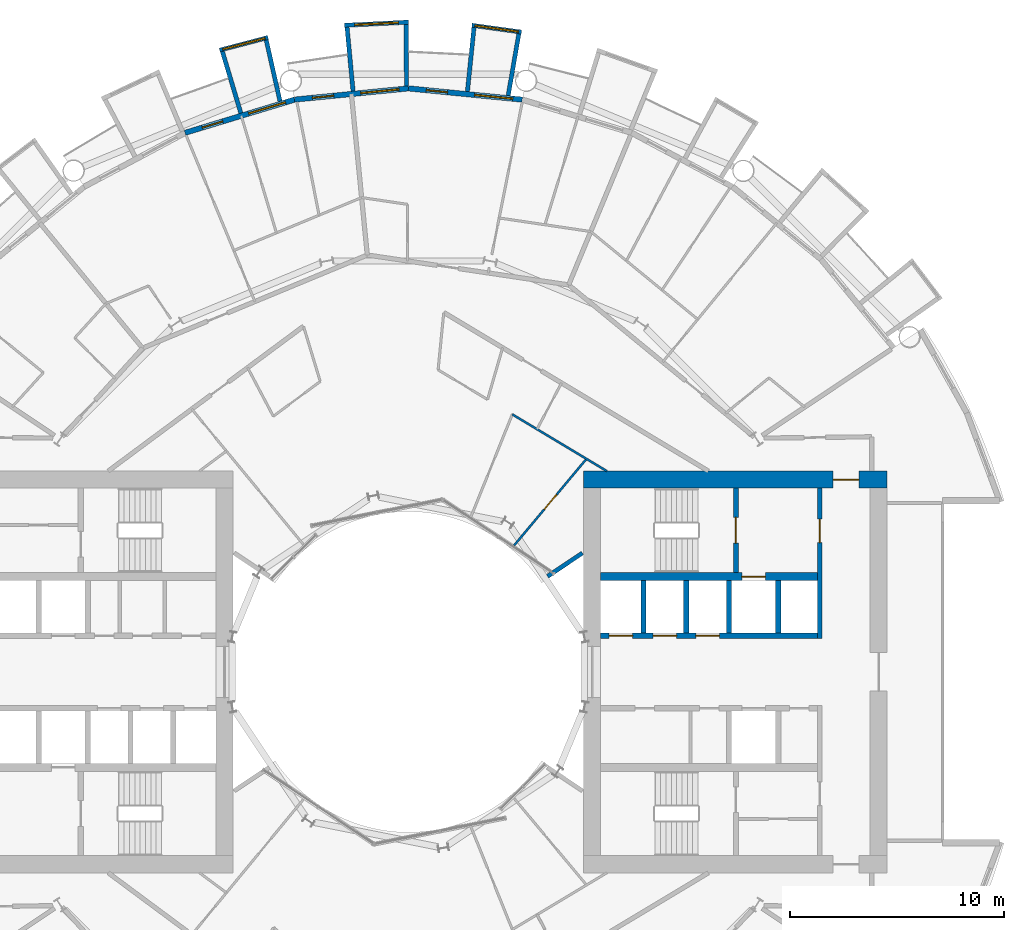
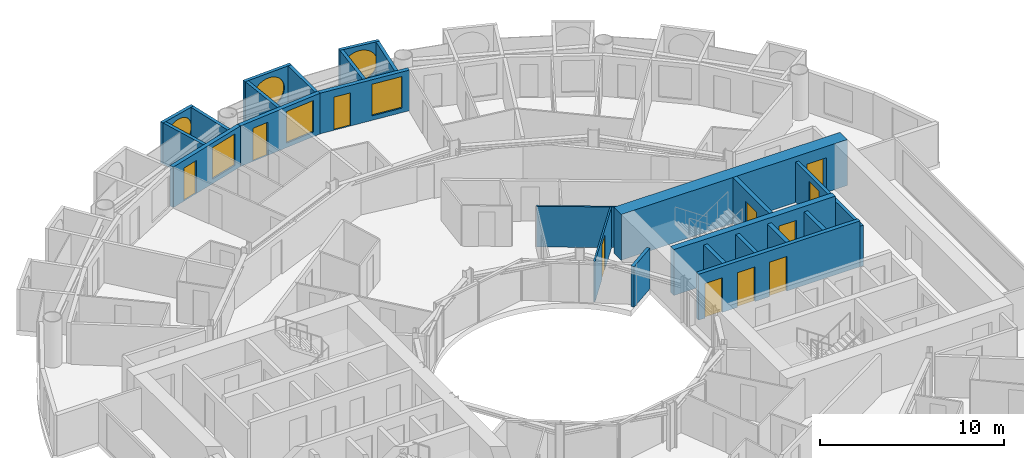
# One storey, part 20 of 26: 24 walls, 11 doors, 6 windows, 17 openings.
"""IFC4 building model written with IfcOpenShell, lengths in metres."""

import ifcopenshell
import ifcopenshell.guid

model = None  # the IFC model being written
_history = None  # IfcOwnerHistory: only IFC2X3 demands one
_inside = {}  # id of a spatial element -> (the spatial element, [elements in it])
_under = {}  # id of a project, library or spatial element -> (it, [spatial elements below it])
_declared = {}  # id of a project -> (the project, [libraries it declares])
_typed = {}  # id of a type object -> (the type object, [elements of that type])
_made_of = {}  # id of a material, layer set ... -> (it, [elements and type objects made of it])


def new_model(schema):
    """Start an empty IFC model of exactly this schema.

    Asked for "IFC4X3", IfcOpenShell would pick the latest addendum, in which some entities
    have other attributes; the version numbers below select the first issue.
    IFC2X3 requires an IfcOwnerHistory on every rooted entity: one is made here for all.
    """
    global model, _history
    if schema == "IFC4X3":
        model = ifcopenshell.file(schema_version=(4, 3, 0, 0))
    else:
        model = ifcopenshell.file(schema=schema)
    _inside.clear()
    _under.clear()
    _declared.clear()
    _typed.clear()
    _made_of.clear()
    _history = None
    if model.schema == "IFC2X3":
        org = make("IfcOrganization", Name="unknown")
        user = make(
            "IfcPersonAndOrganization",
            ThePerson=make("IfcPerson", FamilyName="unknown"),
            TheOrganization=org,
        )
        app = make(
            "IfcApplication",
            ApplicationDeveloper=org,
            Version="unknown",
            ApplicationFullName="unknown",
            ApplicationIdentifier="unknown",
        )
        _history = make(
            "IfcOwnerHistory",
            OwningUser=user,
            OwningApplication=app,
            ChangeAction="ADDED",
            CreationDate=0,
        )
    return model


def make(cls, **values):
    """One entity of the class cls with the attributes given. An attribute that is None is left unset."""
    return model.create_entity(
        cls, **{name: value for name, value in values.items() if value is not None}
    )


def rooted(cls, **values):
    """An entity with a GlobalId (a new one), such as an element, a storey or a relation."""
    return make(cls, GlobalId=ifcopenshell.guid.new(), OwnerHistory=_history, **values)


def si_unit(unit_type, name, prefix=None):
    """IfcSIUnit, for example si_unit("LENGTHUNIT", "METRE", prefix="MILLI")."""
    return make("IfcSIUnit", UnitType=unit_type, Prefix=prefix, Name=name)


def assignment(units):
    """IfcUnitAssignment: the units of a project."""
    return None if units is None else make("IfcUnitAssignment", Units=units)


def point(xyz):
    """IfcCartesianPoint."""
    return None if xyz is None else make("IfcCartesianPoint", Coordinates=xyz)


def direction(xyz):
    """IfcDirection."""
    return None if xyz is None else make("IfcDirection", DirectionRatios=xyz)


def frame(location, z_axis=None, x_axis=None):
    """IfcAxis2Placement3D, a coordinate frame: its origin and axes. An axis left out is left unset."""
    return make(
        "IfcAxis2Placement3D",
        Location=point(location),
        Axis=direction(z_axis),
        RefDirection=direction(x_axis),
    )


def frame_2d(location, x_axis=None):
    """IfcAxis2Placement2D, a coordinate frame in the plane: its origin and x axis."""
    return make(
        "IfcAxis2Placement2D", Location=point(location), RefDirection=direction(x_axis)
    )


def origin():
    """The frame at (0, 0, 0) with its axes left unset."""
    return frame((0.0, 0.0, 0.0))


def place(relative_to, where):
    """IfcLocalPlacement: puts the frame where relative to a parent placement (None: the world)."""
    return make(
        "IfcLocalPlacement", PlacementRelTo=relative_to, RelativePlacement=where
    )


def context(
    kind, dimensions, precision=None, world=None, true_north=None, identifier=None
):
    """IfcGeometricRepresentationContext, for example the 3D "Model" context."""
    return make(
        "IfcGeometricRepresentationContext",
        ContextIdentifier=identifier,
        ContextType=kind,
        CoordinateSpaceDimension=dimensions,
        Precision=precision,
        WorldCoordinateSystem=world,
        TrueNorth=true_north,
    )


def subcontext(parent, identifier, kind, view, scale=None):
    """IfcGeometricRepresentationSubContext, for example "Body" below "Model"."""
    return make(
        "IfcGeometricRepresentationSubContext",
        ContextIdentifier=identifier,
        ContextType=kind,
        ParentContext=parent,
        TargetScale=scale,
        TargetView=view,
    )


def project(units=None, contexts=None):
    """IfcProject with its units and contexts."""
    return rooted(
        "IfcProject",
        Name="project",
        RepresentationContexts=contexts,
        UnitsInContext=assignment(units),
    )


def spatial(cls, under=None, at=None, **own):
    """A site, building, storey or space (cls), placed at a placement, below another one or the project."""
    s = rooted(cls, ObjectPlacement=at, **own)
    if under is not None:
        _under.setdefault(under.id(), (under, []))[1].append(s)
    return s


def profile(cls, at=None, kind="AREA", **sizes):
    """A parametric profile (cls). Its sizes go by their IFC names, for example OverallWidth=200.0."""
    return make(cls, ProfileType=kind, Position=at, **sizes)


def rectangle(**sizes):
    """IfcRectangleProfileDef."""
    return profile("IfcRectangleProfileDef", **sizes)


def circle(**sizes):
    """IfcCircleProfileDef."""
    return profile("IfcCircleProfileDef", **sizes)


def extrude(swept, where, along, depth):
    """IfcExtrudedAreaSolid: the profile swept, set in the frame where, extruded along a direction by depth."""
    return make(
        "IfcExtrudedAreaSolid",
        SweptArea=swept,
        Position=where,
        ExtrudedDirection=direction(along),
        Depth=depth,
    )


def shape(context_of_items, identifier, shape_type, items):
    """IfcShapeRepresentation: the items that make up one representation, for example the "Body"."""
    return make(
        "IfcShapeRepresentation",
        ContextOfItems=context_of_items,
        RepresentationIdentifier=identifier,
        RepresentationType=shape_type,
        Items=items,
    )


def material(Name=None, Category=None):
    """IfcMaterial."""
    return make("IfcMaterial", Name=Name, Category=Category)


def layer(
    of_material, thickness, ventilated=None, Name=None, Category=None, Priority=None
):
    """IfcMaterialLayer: one layer of a wall or slab, of a material (None: an air gap)."""
    return make(
        "IfcMaterialLayer",
        Material=of_material,
        LayerThickness=thickness,
        IsVentilated=ventilated,
        Name=Name,
        Category=Category,
        Priority=Priority,
    )


def layer_set(layers, Name=None):
    """IfcMaterialLayerSet."""
    return make("IfcMaterialLayerSet", MaterialLayers=layers, LayerSetName=Name)


def made_of(thing, what):
    """Note that an element or type object is made of a material, layer set ...; save() writes the relation."""
    if what is not None:
        _made_of.setdefault(what.id(), (what, []))[1].append(thing)
    return thing


def type_object(cls, material=None, **own):
    """A type object (cls), such as IfcWallType, which elements share."""
    return made_of(rooted(cls, **own), material)


def element(
    cls,
    number,
    at=None,
    inside=None,
    cuts=None,
    type_object=None,
    material=None,
    context=None,
    identifier="Body",
    shape_type=None,
    held_by="IfcProductDefinitionShape",
    body=None,
    shapes=None,
    **own,
):
    """One element of the class cls, such as IfcWall. Its Tag is "e" and its number.

    at: its placement. inside: the storey or other place that contains it. cuts: it is an
    opening in that element (IfcRelVoidsElement). A single representation is given by context,
    identifier, shape_type and body (its items); several are given by shapes. held_by: the class
    of the entity that holds the representations. save() writes the other relations.
    """
    e = rooted(cls, Tag="e%d" % number, ObjectPlacement=at, **own)
    if body is not None:
        shapes = [shape(context, identifier, shape_type, body)]
    if shapes is not None:
        e.Representation = make(held_by, Representations=shapes)
    if inside is not None:
        _inside.setdefault(inside.id(), (inside, []))[1].append(e)
    if cuts is not None:
        rooted(
            "IfcRelVoidsElement", RelatingBuildingElement=cuts, RelatedOpeningElement=e
        )
    if type_object is not None:
        _typed.setdefault(type_object.id(), (type_object, []))[1].append(e)
    return made_of(e, material)


def fill(opening, filler):
    """IfcRelFillsElement: the door or window that sits in an opening."""
    return rooted(
        "IfcRelFillsElement",
        RelatingOpeningElement=opening,
        RelatedBuildingElement=filler,
    )


def aggregate(whole, parts):
    """IfcRelAggregates: a whole, such as a stair, and the parts it consists of."""
    return rooted("IfcRelAggregates", RelatingObject=whole, RelatedObjects=parts)


def save(model, path):
    """Write the relations noted so far, then the file.

    IfcRelAggregates (storeys below a building ...), IfcRelContainedInSpatialStructure (elements
    in a storey), IfcRelDefinesByType, IfcRelAssociatesMaterial and IfcRelDeclares: one each for
    every whole, place, type object, material and project.
    """
    for whole, parts in _under.values():
        aggregate(whole, parts)
    for where, things in _inside.values():
        rooted(
            "IfcRelContainedInSpatialStructure",
            RelatedElements=things,
            RelatingStructure=where,
        )
    for kind, things in _typed.values():
        rooted("IfcRelDefinesByType", RelatedObjects=things, RelatingType=kind)
    for what, things in _made_of.values():
        rooted("IfcRelAssociatesMaterial", RelatedObjects=things, RelatingMaterial=what)
    for by, libraries in _declared.values():
        rooted("IfcRelDeclares", RelatingContext=by, RelatedDefinitions=libraries)
    model.write(path)


model = new_model("IFC4")

# Units and contexts
model_context = context("Model", 3, precision=1e-05, world=origin(), true_north=direction((0.0, 1.0)))
body_context = subcontext(model_context, "Body", "Model", "MODEL_VIEW")
ifc_project = project(units=[si_unit("LENGTHUNIT", "METRE"), si_unit("AREAUNIT", "SQUARE_METRE"), si_unit("VOLUMEUNIT", "CUBIC_METRE"), si_unit("PLANEANGLEUNIT", "RADIAN"), si_unit("MASSUNIT", "GRAM", prefix="KILO")], contexts=[model_context])

# Site, building, storey
site_placement = place(None, origin())
site = spatial("IfcSite", under=ifc_project, at=site_placement, CompositionType="ELEMENT")
building_placement = place(site_placement, origin())
building = spatial("IfcBuilding", under=site, at=building_placement, Name="Maasbend Ring Residences", CompositionType="ELEMENT")
storey_placement = place(building_placement, frame((0.0, 0.0, 47.199951171875)))
storey = spatial("IfcBuildingStorey", under=building, at=storey_placement, Name="L13", CompositionType="ELEMENT", Elevation=47.199951171875)

# Wall, openings, doors
ifc_material_1 = material(Name="Concrete C70/85", Category="concrete")
ifc_layer_1 = layer(ifc_material_1, 0.25)
ifc_layer_set_1 = layer_set([ifc_layer_1], Name="Concrete C70/85")
wall_type_1 = type_object("IfcWallType", Name="CORE WALL 250 C70/85", PredefinedType="SHEAR", material=ifc_layer_set_1)
wall_1_placement = place(storey_placement, frame((9.0, 1.699951171875, 0.0), z_axis=(0.0, 0.0, 1.0), x_axis=(1.0, 0.0, 0.0)))
wall_1 = element("IfcWall", 1, at=wall_1_placement, inside=storey, type_object=wall_type_1, Name="L13 core E wall SPN", PredefinedType="SHEAR", context=body_context, shape_type="SweptSolid", body=[
    extrude(rectangle(XDim=10.14990234375, YDim=0.25, at=frame_2d((5.074951171875, 0.0))), origin(), (0.0, 0.0, 1.0), 3.050048828125),
])
opening_1_placement = place(wall_1_placement, frame((0.387451171875, 0.0, 0.0)))
opening_1 = element("IfcOpeningElement", 2, at=opening_1_placement, cuts=wall_1, Name="Opening LD-E1301", PredefinedType="OPENING", context=body_context, shape_type="SweptSolid", body=[
    extrude(rectangle(XDim=1.10009765625, YDim=2.300048828125, at=frame_2d((0.550048828125, 1.14990234375))), frame((0.0, 0.135009765625, 0.0), z_axis=(0.0, -1.0, 0.0), x_axis=(1.0, 0.0, 0.0)), (0.0, 0.0, 1.0), 0.27001953125),
])
opening_2_placement = place(wall_1_placement, frame((2.449951171875, 0.0, 0.0)))
opening_2 = element("IfcOpeningElement", 3, at=opening_2_placement, cuts=wall_1, Name="Opening LD-E1302", PredefinedType="OPENING", context=body_context, shape_type="SweptSolid", body=[
    extrude(rectangle(XDim=1.10009765625, YDim=2.300048828125, at=frame_2d((0.550048828125, 1.14990234375))), frame((0.0, 0.135009765625, 0.0), z_axis=(0.0, -1.0, 0.0), x_axis=(1.0, 0.0, 0.0)), (0.0, 0.0, 1.0), 0.27001953125),
])
opening_3_placement = place(wall_1_placement, frame((4.449951171875, 0.0, 0.0)))
opening_3 = element("IfcOpeningElement", 4, at=opening_3_placement, cuts=wall_1, Name="Opening LD-E1303", PredefinedType="OPENING", context=body_context, shape_type="SweptSolid", body=[
    extrude(rectangle(XDim=1.10009765625, YDim=2.300048828125, at=frame_2d((0.550048828125, 1.14990234375))), frame((0.0, 0.135009765625, 0.0), z_axis=(0.0, -1.0, 0.0), x_axis=(1.0, 0.0, 0.0)), (0.0, 0.0, 1.0), 0.27001953125),
])
ifc_material_2 = material(Name="Stainless steel 316", Category="steel")
door_type_1 = type_object("IfcDoorType", Name="LANDING DOOR 1100 X 2300 FD60", OperationType="DOUBLE_DOOR_SLIDING", PredefinedType="DOOR", material=ifc_material_2)
door_1_placement = place(opening_1_placement, origin())
door_1 = element("IfcDoor", 5, at=door_1_placement, inside=storey, type_object=door_type_1, Name="Landing door LR-E1 L13", OperationType="DOUBLE_DOOR_SLIDING", OverallHeight=2.300048828125, OverallWidth=1.10009765625, PredefinedType="DOOR", context=body_context, shape_type="SweptSolid", body=[
    extrude(rectangle(XDim=1.10009765625, YDim=2.300048828125, at=frame_2d((0.550048828125, 1.14990234375))), frame((0.0, 0.02490234375, 0.0), z_axis=(0.0, -1.0, 0.0), x_axis=(1.0, 0.0, 0.0)), (0.0, 0.0, 1.0), 0.050048828125),
])
fill(opening_1, door_1)
door_2_placement = place(opening_2_placement, origin())
door_2 = element("IfcDoor", 6, at=door_2_placement, inside=storey, type_object=door_type_1, Name="Landing door LR-E2 L13", OperationType="DOUBLE_DOOR_SLIDING", OverallHeight=2.300048828125, OverallWidth=1.10009765625, PredefinedType="DOOR", context=body_context, shape_type="SweptSolid", body=[
    extrude(rectangle(XDim=1.10009765625, YDim=2.300048828125, at=frame_2d((0.550048828125, 1.14990234375))), frame((0.0, 0.02490234375, 0.0), z_axis=(0.0, -1.0, 0.0), x_axis=(1.0, 0.0, 0.0)), (0.0, 0.0, 1.0), 0.050048828125),
])
fill(opening_2, door_2)
door_3_placement = place(opening_3_placement, origin())
door_3 = element("IfcDoor", 7, at=door_3_placement, inside=storey, type_object=door_type_1, Name="Landing door LR-E3 L13", OperationType="DOUBLE_DOOR_SLIDING", OverallHeight=2.300048828125, OverallWidth=1.10009765625, PredefinedType="DOOR", context=body_context, shape_type="SweptSolid", body=[
    extrude(rectangle(XDim=1.10009765625, YDim=2.300048828125, at=frame_2d((0.550048828125, 1.14990234375))), frame((0.0, 0.02490234375, 0.0), z_axis=(0.0, -1.0, 0.0), x_axis=(1.0, 0.0, 0.0)), (0.0, 0.0, 1.0), 0.050048828125),
])
fill(opening_3, door_3)

# Wall, opening, door
wall_2_placement = place(storey_placement, frame((15.324951171875, 4.64990234375, 0.0), z_axis=(0.0, 0.0, 1.0), x_axis=(0.0, 1.0, 0.0)))
wall_2 = element("IfcWall", 8, at=wall_2_placement, inside=storey, type_object=wall_type_1, Name="L13 core E wall STEN", PredefinedType="SHEAR", context=body_context, shape_type="SweptSolid", body=[
    extrude(rectangle(XDim=3.9501953125, YDim=0.25, at=frame_2d((1.97509765625, 0.0))), origin(), (0.0, 0.0, 1.0), 3.050048828125),
])
opening_4_placement = place(wall_2_placement, frame((1.375, 0.0, 0.0)))
opening_4 = element("IfcOpeningElement", 9, at=opening_4_placement, cuts=wall_2, Name="Opening D-E1310", PredefinedType="OPENING", context=body_context, shape_type="SweptSolid", body=[
    extrude(rectangle(XDim=1.199951171875, YDim=2.300048828125, at=frame_2d((0.60009765625, 1.14990234375))), frame((0.0, 0.135009765625, 0.0), z_axis=(0.0, -1.0, 0.0), x_axis=(1.0, 0.0, 0.0)), (0.0, 0.0, 1.0), 0.27001953125),
])
ifc_material_3 = material(Name="Steel, powder coated", Category="steel")
door_type_2 = type_object("IfcDoorType", Name="STAIR DOOR 1200 X 2300 FD60", OperationType="NOTDEFINED", PredefinedType="DOOR", material=ifc_material_3)
door_4_placement = place(opening_4_placement, origin())
door_4 = element("IfcDoor", 10, at=door_4_placement, inside=storey, type_object=door_type_2, Name="Stair door ST-E L13", OperationType="SINGLE_SWING_LEFT", OverallHeight=2.300048828125, OverallWidth=1.199951171875, PredefinedType="DOOR", context=body_context, shape_type="SweptSolid", body=[
    extrude(rectangle(XDim=1.199951171875, YDim=2.300048828125, at=frame_2d((0.60009765625, 1.14990234375))), frame((0.0, 0.02490234375, 0.0), z_axis=(0.0, -1.0, 0.0), x_axis=(1.0, 0.0, 0.0)), (0.0, 0.0, 1.0), 0.050048828125),
])
fill(opening_4, door_4)

ifc_material_4 = material(Name="Concrete C70/85", Category="concrete")
ifc_layer_2 = layer(ifc_material_4, 0.375)
ifc_layer_set_2 = layer_set([ifc_layer_2], Name="Concrete C70/85")
wall_type_2 = type_object("IfcWallType", Name="CORE WALL 375 C70/85", PredefinedType="SHEAR", material=ifc_layer_set_2)
wall_3_placement = place(storey_placement, frame((9.0, 4.46240234375, 0.0), z_axis=(0.0, 0.0, 1.0), x_axis=(1.0, 0.0, 0.0)))
wall_3 = element("IfcWall", 11, at=wall_3_placement, inside=storey, type_object=wall_type_2, Name="L13 core E wall BN", PredefinedType="SHEAR", context=body_context, shape_type="SweptSolid", body=[
    extrude(rectangle(XDim=10.14990234375, YDim=0.375, at=frame_2d((5.074951171875, 0.0))), origin(), (0.0, 0.0, 1.0), 3.050048828125),
])
opening_5_placement = place(wall_3_placement, frame((6.60009765625, 0.0, 0.0)))
opening_5 = element("IfcOpeningElement", 12, at=opening_5_placement, cuts=wall_3, Name="Opening LD-E1304", PredefinedType="OPENING", context=body_context, shape_type="SweptSolid", body=[
    extrude(rectangle(XDim=1.10009765625, YDim=2.300048828125, at=frame_2d((0.550048828125, 1.14990234375))), frame((0.0, 0.197509765625, 0.0), z_axis=(0.0, -1.0, 0.0), x_axis=(1.0, 0.0, 0.0)), (0.0, 0.0, 1.0), 0.39501953125),
])
door_5_placement = place(opening_5_placement, origin())
door_5 = element("IfcDoor", 13, at=door_5_placement, inside=storey, type_object=door_type_1, Name="Landing door FF-E L13", OperationType="DOUBLE_DOOR_SLIDING", OverallHeight=2.300048828125, OverallWidth=1.10009765625, PredefinedType="DOOR", context=body_context, shape_type="SweptSolid", body=[
    extrude(rectangle(XDim=1.10009765625, YDim=2.300048828125, at=frame_2d((0.550048828125, 1.14990234375))), frame((0.0, 0.02490234375, 0.0), z_axis=(0.0, -1.0, 0.0), x_axis=(1.0, 0.0, 0.0)), (0.0, 0.0, 1.0), 0.050048828125),
])
fill(opening_5, door_5)

ifc_material_5 = material(Name="Concrete C70/85", Category="concrete")
ifc_layer_3 = layer(ifc_material_5, 0.800048828125)
ifc_layer_set_3 = layer_set([ifc_layer_3], Name="Concrete C70/85")
wall_type_3 = type_object("IfcWallType", Name="CORE WALL 800 C70/85", PredefinedType="SHEAR", material=ifc_layer_set_3)
wall_4_placement = place(storey_placement, frame((22.39990234375, 9.0, 0.0), z_axis=(0.0, 0.0, 1.0), x_axis=(-1.0, 0.0, 0.0)))
wall_4 = element("IfcWall", 14, at=wall_4_placement, inside=storey, type_object=wall_type_3, Name="L13 core E wall PN", PredefinedType="SHEAR", context=body_context, shape_type="SweptSolid", body=[
    extrude(rectangle(XDim=14.199951171875, YDim=0.800048828125, at=frame_2d((7.10009765625, 0.0))), origin(), (0.0, 0.0, 1.0), 3.050048828125),
])
opening_6_placement = place(wall_4_placement, frame((1.324951171875, 0.0, 0.0)))
opening_6 = element("IfcOpeningElement", 15, at=opening_6_placement, cuts=wall_4, Name="Opening D-E1314", PredefinedType="OPENING", context=body_context, shape_type="SweptSolid", body=[
    extrude(rectangle(XDim=1.199951171875, YDim=2.300048828125, at=frame_2d((0.60009765625, 1.14990234375))), frame((0.0, 0.41015625, 0.0), z_axis=(0.0, -1.0, 0.0), x_axis=(1.0, 0.0, 0.0)), (0.0, 0.0, 1.0), 0.820068359375),
])
ifc_material_6 = material(Name="Steel, powder coated", Category="steel")
door_type_3 = type_object("IfcDoorType", Name="CORRIDOR DOOR 1200 X 2300 FD30S", OperationType="NOTDEFINED", PredefinedType="DOOR", material=ifc_material_6)
door_6_placement = place(opening_6_placement, origin())
door_6 = element("IfcDoor", 16, at=door_6_placement, inside=storey, type_object=door_type_3, Name="Corridor door L13", OperationType="SINGLE_SWING_RIGHT", OverallHeight=2.300048828125, OverallWidth=1.199951171875, PredefinedType="DOOR", context=body_context, shape_type="SweptSolid", body=[
    extrude(rectangle(XDim=1.199951171875, YDim=2.300048828125, at=frame_2d((0.60009765625, 1.14990234375))), frame((0.0, 0.02490234375, 0.0), z_axis=(0.0, -1.0, 0.0), x_axis=(1.0, 0.0, 0.0)), (0.0, 0.0, 1.0), 0.050048828125),
])
fill(opening_6, door_6)

# Wall, opening, window
ifc_material_7 = material(Name="Pale anodised aluminium panel", Category="aluminium")
ifc_layer_4 = layer(ifc_material_7, 0.199951171875)
ifc_layer_set_4 = layer_set([ifc_layer_4], Name="EW-BOX")
wall_type_4 = type_object("IfcWallType", Name="EW-BOX", PredefinedType="SOLIDWALL", material=ifc_layer_set_4)
wall_5_placement = place(storey_placement, frame((5.2900390625, 29.93603515625, -0.030029296875), z_axis=(0.0, 0.0, 1.0), x_axis=(-0.990696111261, 0.136092671119, 0.0)))
wall_5 = element("IfcWall", 17, at=wall_5_placement, inside=storey, type_object=wall_type_4, Name="Box front N09", PredefinedType="SOLIDWALL", context=body_context, shape_type="SweptSolid", body=[
    extrude(rectangle(XDim=2.335693359375, YDim=0.199951171875, at=frame_2d((1.16796875, 0.0))), origin(), (0.0, 0.0, 1.0), 2.72998046875),
])
opening_7_placement = place(wall_5_placement, frame((0.128173828125, 0.0, 0.330078125)))
opening_7 = element("IfcOpeningElement", 18, at=opening_7_placement, cuts=wall_5, Name="Opening W-RD", PredefinedType="OPENING", context=body_context, shape_type="SweptSolid", body=[
    extrude(circle(Radius=1.0400390625, at=frame_2d((1.0400390625, 1.0400390625))), frame((0.0, 0.10986328125, 0.0), z_axis=(0.0, -1.0, 0.0), x_axis=(1.0, 0.0, 0.0)), (0.0, 0.0, 1.0), 0.219970703125),
])
ifc_material_8 = material(Name="Aluminium and clear glass", Category="aluminium")
window_type_1 = type_object("IfcWindowType", Name="W-RD", PartitioningType="SINGLE_PANEL", PredefinedType="WINDOW", material=ifc_material_8)
window_1_placement = place(opening_7_placement, origin())
window_1 = element("IfcWindow", 19, at=window_1_placement, inside=storey, type_object=window_type_1, Name="Round window N09", OverallHeight=2.080078125, OverallWidth=2.080078125, PartitioningType="SINGLE_PANEL", PredefinedType="WINDOW", context=body_context, shape_type="SweptSolid", body=[
    extrude(circle(Radius=1.0400390625, at=frame_2d((1.0400390625, 1.0400390625))), frame((0.0, 0.030029296875, 0.0), z_axis=(0.0, -1.0, 0.0), x_axis=(1.0, 0.0, 0.0)), (0.0, 0.0, 1.0), 0.06005859375),
])
fill(opening_7, window_1)

# Walls
wall_6_placement = place(storey_placement, frame((4.6708984375, 26.966064453125, -0.030029296875), z_axis=(0.0, 0.0, 1.0), x_axis=(0.170539878907, 0.985350774954, 0.0)))
element("IfcWall", 20, at=wall_6_placement, inside=storey, type_object=wall_type_4, Name="Box side wall N09 left", PredefinedType="SOLIDWALL", context=body_context, shape_type="SweptSolid", body=[
    extrude(rectangle(XDim=2.931884765625, YDim=0.199951171875, at=frame_2d((1.4658203125, 0.0))), origin(), (0.0, 0.0, 1.0), 2.72998046875),
])
wall_7_placement = place(storey_placement, frame((2.763916015625, 27.153076171875, -0.030029296875), z_axis=(0.0, 0.0, 1.0), x_axis=(0.101505487237, 0.994834979311, 0.0)))
element("IfcWall", 21, at=wall_7_placement, inside=storey, type_object=wall_type_4, Name="Box side wall N09 right", PredefinedType="SOLIDWALL", context=body_context, shape_type="SweptSolid", body=[
    extrude(rectangle(XDim=3.006591796875, YDim=0.199951171875, at=frame_2d((1.50341796875, 0.0))), origin(), (0.0, 0.0, 1.0), 2.72998046875),
])

# Wall, opening, window
wall_8_placement = place(storey_placement, frame((0.0048828125, 30.39990234375, -0.030029296875), z_axis=(0.0, 0.0, 1.0), x_axis=(-0.998794083011, -0.049095618353, 0.0)))
wall_8 = element("IfcWall", 22, at=wall_8_placement, inside=storey, type_object=wall_type_4, Name="Box front N11", PredefinedType="SOLIDWALL", context=body_context, shape_type="SweptSolid", body=[
    extrude(rectangle(XDim=2.99365234375, YDim=0.199951171875, at=frame_2d((1.496826171875, 0.0))), origin(), (0.0, 0.0, 1.0), 2.72998046875),
])
opening_8_placement = place(wall_8_placement, frame((0.45654296875, 0.0, 0.330078125)))
opening_8 = element("IfcOpeningElement", 23, at=opening_8_placement, cuts=wall_8, Name="Opening W-RD", PredefinedType="OPENING", context=body_context, shape_type="SweptSolid", body=[
    extrude(circle(Radius=1.0400390625, at=frame_2d((1.0400390625, 1.0400390625))), frame((0.0, 0.10986328125, 0.0), z_axis=(0.0, -1.0, 0.0), x_axis=(1.0, 0.0, 0.0)), (0.0, 0.0, 1.0), 0.219970703125),
])
window_2_placement = place(opening_8_placement, origin())
window_2 = element("IfcWindow", 24, at=window_2_placement, inside=storey, type_object=window_type_1, Name="Round window N11", OverallHeight=2.080078125, OverallWidth=2.080078125, PartitioningType="SINGLE_PANEL", PredefinedType="WINDOW", context=body_context, shape_type="SweptSolid", body=[
    extrude(circle(Radius=1.0400390625, at=frame_2d((1.0400390625, 1.0400390625))), frame((0.0, 0.030029296875, 0.0), z_axis=(0.0, -1.0, 0.0), x_axis=(1.0, 0.0, 0.0)), (0.0, 0.0, 1.0), 0.06005859375),
])
fill(opening_8, window_2)

# Walls
wall_9_placement = place(storey_placement, frame((-0.090087890625, 27.4169921875, -0.030029296875), z_axis=(0.0, 0.0, 1.0), x_axis=(-0.00347308367, 0.999993968827, 0.0)))
element("IfcWall", 25, at=wall_9_placement, inside=storey, type_object=wall_type_4, Name="Box side wall N11 left", PredefinedType="SOLIDWALL", context=body_context, shape_type="SweptSolid", body=[
    extrude(rectangle(XDim=2.882080078125, YDim=0.199951171875, at=frame_2d((1.44091796875, 0.0))), origin(), (0.0, 0.0, 1.0), 2.72998046875),
])
wall_10_placement = place(storey_placement, frame((-2.5859375, 27.1708984375, -0.030029296875), z_axis=(0.0, 0.0, 1.0), x_axis=(-0.094548432284, 0.995520262954, 0.0)))
element("IfcWall", 26, at=wall_10_placement, inside=storey, type_object=wall_type_4, Name="Box side wall N11 right", PredefinedType="SOLIDWALL", context=body_context, shape_type="SweptSolid", body=[
    extrude(rectangle(XDim=3.005615234375, YDim=0.199951171875, at=frame_2d((1.5029296875, 0.0))), origin(), (0.0, 0.0, 1.0), 2.72998046875),
])

# Wall, opening, window
wall_11_placement = place(storey_placement, frame((-6.568115234375, 29.681884765625, -0.030029296875), z_axis=(0.0, 0.0, 1.0), x_axis=(-0.967377102346, -0.253340762326, 0.0)))
wall_11 = element("IfcWall", 27, at=wall_11_placement, inside=storey, type_object=wall_type_4, Name="Box front N13", PredefinedType="SOLIDWALL", context=body_context, shape_type="SweptSolid", body=[
    extrude(rectangle(XDim=2.3359375, YDim=0.199951171875, at=frame_2d((1.16796875, 0.0))), origin(), (0.0, 0.0, 1.0), 2.72998046875),
])
opening_9_placement = place(wall_11_placement, frame((0.128173828125, 0.0, 0.330078125)))
opening_9 = element("IfcOpeningElement", 28, at=opening_9_placement, cuts=wall_11, Name="Opening W-RD", PredefinedType="OPENING", context=body_context, shape_type="SweptSolid", body=[
    extrude(circle(Radius=1.0400390625, at=frame_2d((1.0400390625, 1.0400390625))), frame((0.0, 0.10986328125, 0.0), z_axis=(0.0, -1.0, 0.0), x_axis=(1.0, 0.0, 0.0)), (0.0, 0.0, 1.0), 0.219970703125),
])
window_3_placement = place(opening_9_placement, origin())
window_3 = element("IfcWindow", 29, at=window_3_placement, inside=storey, type_object=window_type_1, Name="Round window N13", OverallHeight=2.080078125, OverallWidth=2.080078125, PartitioningType="SINGLE_PANEL", PredefinedType="WINDOW", context=body_context, shape_type="SweptSolid", body=[
    extrude(circle(Radius=1.0400390625, at=frame_2d((1.0400390625, 1.0400390625))), frame((0.0, 0.030029296875, 0.0), z_axis=(0.0, -1.0, 0.0), x_axis=(1.0, 0.0, 0.0)), (0.0, 0.0, 1.0), 0.06005859375),
])
fill(opening_9, window_3)

# Walls
wall_12_placement = place(storey_placement, frame((-6.00390625, 26.699951171875, -0.030029296875), z_axis=(0.0, 0.0, 1.0), x_axis=(-0.219609259383, 0.975587911566, 0.0)))
element("IfcWall", 30, at=wall_12_placement, inside=storey, type_object=wall_type_4, Name="Box side wall N13 left", PredefinedType="SOLIDWALL", context=body_context, shape_type="SweptSolid", body=[
    extrude(rectangle(XDim=2.9326171875, YDim=0.199951171875, at=frame_2d((1.46630859375, 0.0))), origin(), (0.0, 0.0, 1.0), 2.72998046875),
])
wall_13_placement = place(storey_placement, frame((-7.8369140625, 26.14404296875, -0.030029296875), z_axis=(0.0, 0.0, 1.0), x_axis=(-0.287064767992, 0.957911174889, 0.0)))
element("IfcWall", 31, at=wall_13_placement, inside=storey, type_object=wall_type_4, Name="Box side wall N13 right", PredefinedType="SOLIDWALL", context=body_context, shape_type="SweptSolid", body=[
    extrude(rectangle(XDim=3.00634765625, YDim=0.199951171875, at=frame_2d((1.503173828125, 0.0))), origin(), (0.0, 0.0, 1.0), 2.72998046875),
])

# Wall, openings, door, window
ifc_material_9 = material(Name="Aluminium clad insulated panel", Category="aluminium")
ifc_layer_5 = layer(ifc_material_9, 0.25)
ifc_layer_set_5 = layer_set([ifc_layer_5], Name="EW-GL")
wall_type_5 = type_object("IfcWallType", Name="EW-GL", PredefinedType="SOLIDWALL", material=ifc_layer_set_5)
wall_14_placement = place(storey_placement, frame((5.325927734375, 26.77490234375, 0.0), z_axis=(0.0, 0.0, 1.0), x_axis=(-0.995173996315, 0.098126026407, 0.0)))
wall_14 = element("IfcWall", 32, at=wall_14_placement, inside=storey, type_object=wall_type_5, Name="External wall N05", PredefinedType="SOLIDWALL", context=body_context, shape_type="SweptSolid", body=[
    extrude(rectangle(XDim=5.351806640625, YDim=0.25, at=frame_2d((2.67578125, 0.0))), origin(), (0.0, 0.0, 1.0), 2.699951171875),
])
opening_10_placement = place(wall_14_placement, frame((0.441162109375, 0.0, 0.300048828125)))
opening_10 = element("IfcOpeningElement", 33, at=opening_10_placement, cuts=wall_14, Name="Opening W-BX", PredefinedType="OPENING", context=body_context, shape_type="SweptSolid", body=[
    extrude(rectangle(XDim=1.800048828125, YDim=2.10009765625, at=frame_2d((0.89990234375, 1.050048828125))), frame((0.0, 0.135009765625, 0.0), z_axis=(0.0, -1.0, 0.0), x_axis=(1.0, 0.0, 0.0)), (0.0, 0.0, 1.0), 0.27001953125),
])
opening_11_placement = place(wall_14_placement, frame((3.510498046875, 0.0, 0.0)))
opening_11 = element("IfcOpeningElement", 34, at=opening_11_placement, cuts=wall_14, Name="Opening D-LG", PredefinedType="OPENING", context=body_context, shape_type="SweptSolid", body=[
    extrude(rectangle(XDim=1.0, YDim=2.199951171875, at=frame_2d((0.5, 1.10009765625))), frame((0.0, 0.135009765625, 0.0), z_axis=(0.0, -1.0, 0.0), x_axis=(1.0, 0.0, 0.0)), (0.0, 0.0, 1.0), 0.27001953125),
])
ifc_material_10 = material(Name="Aluminium and clear glass", Category="aluminium")
door_type_4 = type_object("IfcDoorType", Name="D-LG", OperationType="SINGLE_SWING_LEFT", PredefinedType="DOOR", material=ifc_material_10)
door_7_placement = place(opening_11_placement, origin())
door_7 = element("IfcDoor", 35, at=door_7_placement, inside=storey, type_object=door_type_4, Name="Loggia door N10", OperationType="SINGLE_SWING_LEFT", OverallHeight=2.199951171875, OverallWidth=1.0, PredefinedType="DOOR", context=body_context, shape_type="SweptSolid", body=[
    extrude(rectangle(XDim=1.0, YDim=2.199951171875, at=frame_2d((0.5, 1.10009765625))), frame((0.0, 0.02490234375, 0.0), z_axis=(0.0, -1.0, 0.0), x_axis=(1.0, 0.0, 0.0)), (0.0, 0.0, 1.0), 0.050048828125),
])
fill(opening_11, door_7)
ifc_material_11 = material(Name="Aluminium and clear glass", Category="aluminium")
window_type_2 = type_object("IfcWindowType", Name="W-BX", PartitioningType="DOUBLE_PANEL_VERTICAL", PredefinedType="WINDOW", material=ifc_material_11)
window_4_placement = place(opening_10_placement, origin())
window_4 = element("IfcWindow", 36, at=window_4_placement, inside=storey, type_object=window_type_2, Name="Window N09 room to box", OverallHeight=2.10009765625, OverallWidth=1.800048828125, PartitioningType="SINGLE_PANEL", PredefinedType="WINDOW", context=body_context, shape_type="SweptSolid", body=[
    extrude(rectangle(XDim=1.800048828125, YDim=2.10009765625, at=frame_2d((0.89990234375, 1.050048828125))), frame((0.0, 0.030029296875, 0.0), z_axis=(0.0, -1.0, 0.0), x_axis=(1.0, 0.0, 0.0)), (0.0, 0.0, 1.0), 0.06005859375),
])
fill(opening_10, window_4)

wall_15_placement = place(storey_placement, frame((0.0, 27.300048828125, 0.0), z_axis=(0.0, 0.0, 1.0), x_axis=(-0.995173996315, -0.098126026407, 0.0)))
wall_15 = element("IfcWall", 37, at=wall_15_placement, inside=storey, type_object=wall_type_5, Name="External wall N06", PredefinedType="SOLIDWALL", context=body_context, shape_type="SweptSolid", body=[
    extrude(rectangle(XDim=5.351806640625, YDim=0.25, at=frame_2d((2.67578125, 0.0))), origin(), (0.0, 0.0, 1.0), 2.699951171875),
])
opening_12_placement = place(wall_15_placement, frame((0.441162109375, 0.0, 0.300048828125)))
opening_12 = element("IfcOpeningElement", 38, at=opening_12_placement, cuts=wall_15, Name="Opening W-BX", PredefinedType="OPENING", context=body_context, shape_type="SweptSolid", body=[
    extrude(rectangle(XDim=1.800048828125, YDim=2.10009765625, at=frame_2d((0.89990234375, 1.050048828125))), frame((0.0, 0.135009765625, 0.0), z_axis=(0.0, -1.0, 0.0), x_axis=(1.0, 0.0, 0.0)), (0.0, 0.0, 1.0), 0.27001953125),
])
opening_13_placement = place(wall_15_placement, frame((3.510498046875, 0.0, 0.0)))
opening_13 = element("IfcOpeningElement", 39, at=opening_13_placement, cuts=wall_15, Name="Opening D-LG", PredefinedType="OPENING", context=body_context, shape_type="SweptSolid", body=[
    extrude(rectangle(XDim=1.0, YDim=2.199951171875, at=frame_2d((0.5, 1.10009765625))), frame((0.0, 0.135009765625, 0.0), z_axis=(0.0, -1.0, 0.0), x_axis=(1.0, 0.0, 0.0)), (0.0, 0.0, 1.0), 0.27001953125),
])
door_8_placement = place(opening_13_placement, origin())
door_8 = element("IfcDoor", 40, at=door_8_placement, inside=storey, type_object=door_type_4, Name="Loggia door N12", OperationType="SINGLE_SWING_LEFT", OverallHeight=2.199951171875, OverallWidth=1.0, PredefinedType="DOOR", context=body_context, shape_type="SweptSolid", body=[
    extrude(rectangle(XDim=1.0, YDim=2.199951171875, at=frame_2d((0.5, 1.10009765625))), frame((0.0, 0.02490234375, 0.0), z_axis=(0.0, -1.0, 0.0), x_axis=(1.0, 0.0, 0.0)), (0.0, 0.0, 1.0), 0.050048828125),
])
fill(opening_13, door_8)
window_5_placement = place(opening_12_placement, origin())
window_5 = element("IfcWindow", 41, at=window_5_placement, inside=storey, type_object=window_type_2, Name="Window N11 room to box", OverallHeight=2.10009765625, OverallWidth=1.800048828125, PartitioningType="SINGLE_PANEL", PredefinedType="WINDOW", context=body_context, shape_type="SweptSolid", body=[
    extrude(rectangle(XDim=1.800048828125, YDim=2.10009765625, at=frame_2d((0.89990234375, 1.050048828125))), frame((0.0, 0.030029296875, 0.0), z_axis=(0.0, -1.0, 0.0), x_axis=(1.0, 0.0, 0.0)), (0.0, 0.0, 1.0), 0.06005859375),
])
fill(opening_12, window_5)

wall_16_placement = place(storey_placement, frame((-5.325927734375, 26.77490234375, 0.0), z_axis=(0.0, 0.0, 1.0), x_axis=(-0.956965678721, -0.290201119486, 0.0)))
wall_16 = element("IfcWall", 42, at=wall_16_placement, inside=storey, type_object=wall_type_5, Name="External wall N07", PredefinedType="SOLIDWALL", context=body_context, shape_type="SweptSolid", body=[
    extrude(rectangle(XDim=5.351318359375, YDim=0.25, at=frame_2d((2.67578125, 0.0))), origin(), (0.0, 0.0, 1.0), 2.699951171875),
])
opening_14_placement = place(wall_16_placement, frame((0.441162109375, 0.0, 0.300048828125)))
opening_14 = element("IfcOpeningElement", 43, at=opening_14_placement, cuts=wall_16, Name="Opening W-BX", PredefinedType="OPENING", context=body_context, shape_type="SweptSolid", body=[
    extrude(rectangle(XDim=1.800048828125, YDim=2.10009765625, at=frame_2d((0.89990234375, 1.050048828125))), frame((0.0, 0.135009765625, 0.0), z_axis=(0.0, -1.0, 0.0), x_axis=(1.0, 0.0, 0.0)), (0.0, 0.0, 1.0), 0.27001953125),
])
opening_15_placement = place(wall_16_placement, frame((3.510498046875, 0.0, 0.0)))
opening_15 = element("IfcOpeningElement", 44, at=opening_15_placement, cuts=wall_16, Name="Opening D-LG", PredefinedType="OPENING", context=body_context, shape_type="SweptSolid", body=[
    extrude(rectangle(XDim=1.0, YDim=2.199951171875, at=frame_2d((0.5, 1.10009765625))), frame((0.0, 0.135009765625, 0.0), z_axis=(0.0, -1.0, 0.0), x_axis=(1.0, 0.0, 0.0)), (0.0, 0.0, 1.0), 0.27001953125),
])
door_9_placement = place(opening_15_placement, origin())
door_9 = element("IfcDoor", 45, at=door_9_placement, inside=storey, type_object=door_type_4, Name="Loggia door N14", OperationType="SINGLE_SWING_LEFT", OverallHeight=2.199951171875, OverallWidth=1.0, PredefinedType="DOOR", context=body_context, shape_type="SweptSolid", body=[
    extrude(rectangle(XDim=1.0, YDim=2.199951171875, at=frame_2d((0.5, 1.10009765625))), frame((0.0, 0.02490234375, 0.0), z_axis=(0.0, -1.0, 0.0), x_axis=(1.0, 0.0, 0.0)), (0.0, 0.0, 1.0), 0.050048828125),
])
fill(opening_15, door_9)
window_6_placement = place(opening_14_placement, origin())
window_6 = element("IfcWindow", 46, at=window_6_placement, inside=storey, type_object=window_type_2, Name="Window N13 room to box", OverallHeight=2.10009765625, OverallWidth=1.800048828125, PartitioningType="SINGLE_PANEL", PredefinedType="WINDOW", context=body_context, shape_type="SweptSolid", body=[
    extrude(rectangle(XDim=1.800048828125, YDim=2.10009765625, at=frame_2d((0.89990234375, 1.050048828125))), frame((0.0, 0.030029296875, 0.0), z_axis=(0.0, -1.0, 0.0), x_axis=(1.0, 0.0, 0.0)), (0.0, 0.0, 1.0), 0.06005859375),
])
fill(opening_14, window_6)

# Wall, opening, door
ifc_material_12 = material(Name="Gypsum board on steel studs", Category="steel")
ifc_layer_6 = layer(ifc_material_12, 0.10009765625)
ifc_layer_set_6 = layer_set([ifc_layer_6], Name="PARTITION 100 GYPSUM")
wall_type_6 = type_object("IfcWallType", Name="PARTITION 100 GYPSUM", PredefinedType="PARTITIONING", material=ifc_layer_set_6)
wall_17_placement = place(storey_placement, frame((4.951904296875, 5.923095703125, 0.0), z_axis=(0.0, 0.0, 1.0), x_axis=(0.641376424834, 0.767226356213, 0.0)))
wall_17 = element("IfcWall", 47, at=wall_17_placement, inside=storey, type_object=wall_type_6, Name="U-L13-w064", PredefinedType="PARTITIONING", context=body_context, shape_type="SweptSolid", body=[
    extrude(rectangle(XDim=5.274658203125, YDim=0.10009765625, at=frame_2d((2.63720703125, 0.0))), origin(), (0.0, 0.0, 1.0), 2.699951171875),
])
opening_16_placement = place(wall_17_placement, frame((2.18701171875, 0.0, 0.0)))
opening_16 = element("IfcOpeningElement", 48, at=opening_16_placement, cuts=wall_17, Name="Opening D-1325", PredefinedType="OPENING", context=body_context, shape_type="SweptSolid", body=[
    extrude(rectangle(XDim=0.89990234375, YDim=2.300048828125, at=frame_2d((0.449951171875, 1.14990234375))), frame((0.0, 0.06005859375, 0.0), z_axis=(0.0, -1.0, 0.0), x_axis=(1.0, 0.0, 0.0)), (0.0, 0.0, 1.0), 0.1201171875),
])
ifc_material_13 = material(Name="Timber, painted", Category="wood")
door_type_5 = type_object("IfcDoorType", Name="INTERNAL DOOR 900 X 2300", OperationType="NOTDEFINED", PredefinedType="DOOR", material=ifc_material_13)
door_10_placement = place(opening_16_placement, origin())
door_10 = element("IfcDoor", 49, at=door_10_placement, inside=storey, type_object=door_type_5, Name="D-1325", OperationType="SINGLE_SWING_RIGHT", OverallHeight=2.300048828125, OverallWidth=0.89990234375, PredefinedType="DOOR", context=body_context, shape_type="SweptSolid", body=[
    extrude(rectangle(XDim=0.89990234375, YDim=2.300048828125, at=frame_2d((0.449951171875, 1.14990234375))), frame((0.0, 0.02490234375, 0.0), z_axis=(0.0, -1.0, 0.0), x_axis=(1.0, 0.0, 0.0)), (0.0, 0.0, 1.0), 0.050048828125),
])
fill(opening_16, door_10)

# Walls
wall_18_placement = place(storey_placement, frame((4.863037109375, 12.050048828125, 0.0), z_axis=(0.0, 0.0, 1.0), x_axis=(0.857576410704, -0.51435658818, 0.0)))
element("IfcWall", 50, at=wall_18_placement, inside=storey, type_object=wall_type_6, Name="U-L13-w087", PredefinedType="PARTITIONING", context=body_context, shape_type="SweptSolid", body=[
    extrude(rectangle(XDim=5.159912109375, YDim=0.10009765625, at=frame_2d((2.580078125, 0.0))), origin(), (0.0, 0.0, 1.0), 2.699951171875),
])
ifc_material_14 = material(Name="Concrete C30/37", Category="concrete")
ifc_layer_7 = layer(ifc_material_14, 0.199951171875)
ifc_layer_set_7 = layer_set([ifc_layer_7], Name="Concrete C30/37")
wall_type_7 = type_object("IfcWallType", Name="PARTY WALL 200 CONCRETE", PredefinedType="PARTITIONING", material=ifc_layer_set_7)
wall_19_placement = place(storey_placement, frame((6.512939453125, 4.471923828125, 0.0), z_axis=(0.0, 0.0, 1.0), x_axis=(0.831417956244, 0.555647533996, 0.0)))
element("IfcWall", 51, at=wall_19_placement, inside=storey, type_object=wall_type_7, Name="U-L13-w083", PredefinedType="PARTITIONING", context=body_context, shape_type="SweptSolid", body=[
    extrude(rectangle(XDim=1.9619140625, YDim=0.199951171875, at=frame_2d((0.98095703125, 0.0))), origin(), (0.0, 0.0, 1.0), 2.699951171875),
])

# Wall, opening, door
ifc_material_15 = material(Name="Concrete C30/37", Category="concrete")
ifc_layer_8 = layer(ifc_material_15, 0.199951171875)
ifc_layer_set_8 = layer_set([ifc_layer_8], Name="Concrete C30/37")
wall_type_8 = type_object("IfcWallType", Name="SHAFT WALL 200 EI 120", PredefinedType="SOLIDWALL", material=ifc_layer_set_8)
wall_20_placement = place(storey_placement, frame((19.25, 1.574951171875, 0.0), z_axis=(0.0, 0.0, 1.0), x_axis=(0.0, 1.0, 0.0)))
wall_20 = element("IfcWall", 52, at=wall_20_placement, inside=storey, type_object=wall_type_8, Name="L13 core E wall ENDN", PredefinedType="SOLIDWALL", context=body_context, shape_type="SweptSolid", body=[
    extrude(rectangle(XDim=7.025146484375, YDim=0.199951171875, at=frame_2d((3.5126953125, 0.0))), origin(), (0.0, 0.0, 1.0), 2.699951171875),
])
opening_17_placement = place(wall_20_placement, frame((4.47509765625, 0.0, 0.0)))
opening_17 = element("IfcOpeningElement", 53, at=opening_17_placement, cuts=wall_20, Name="Opening D-E1312", PredefinedType="OPENING", context=body_context, shape_type="SweptSolid", body=[
    extrude(rectangle(XDim=1.10009765625, YDim=2.300048828125, at=frame_2d((0.550048828125, 1.14990234375))), frame((0.0, 0.10986328125, 0.0), z_axis=(0.0, -1.0, 0.0), x_axis=(1.0, 0.0, 0.0)), (0.0, 0.0, 1.0), 0.219970703125),
])
ifc_material_16 = material(Name="Steel, powder coated", Category="steel")
door_type_6 = type_object("IfcDoorType", Name="LOBBY DOOR 1100 X 2300 FD60", OperationType="NOTDEFINED", PredefinedType="DOOR", material=ifc_material_16)
door_11_placement = place(opening_17_placement, origin())
door_11 = element("IfcDoor", 54, at=door_11_placement, inside=storey, type_object=door_type_6, Name="Lobby door L13", OperationType="SINGLE_SWING_LEFT", OverallHeight=2.300048828125, OverallWidth=1.10009765625, PredefinedType="DOOR", context=body_context, shape_type="SweptSolid", body=[
    extrude(rectangle(XDim=1.10009765625, YDim=2.300048828125, at=frame_2d((0.550048828125, 1.14990234375))), frame((0.0, 0.02490234375, 0.0), z_axis=(0.0, -1.0, 0.0), x_axis=(1.0, 0.0, 0.0)), (0.0, 0.0, 1.0), 0.050048828125),
])
fill(opening_17, door_11)

# Walls
ifc_material_17 = material(Name="Concrete C30/37", Category="concrete")
ifc_layer_9 = layer(ifc_material_17, 0.25)
ifc_layer_set_9 = layer_set([ifc_layer_9], Name="Concrete C30/37")
wall_type_9 = type_object("IfcWallType", Name="SHAFT WALL 250 EI 120", PredefinedType="SOLIDWALL", material=ifc_layer_set_9)
for number, where, z_axis, x_axis, name in (
    (55, (15.0, 1.824951171875, 0.0), (0.0, 0.0, 1.0), (0.0, 1.0, 0.0), "L13 core E wall D150N"),
    (56, (17.300048828125, 1.824951171875, 0.0), (0.0, 0.0, 1.0), (0.0, 1.0, 0.0), "L13 core E wall D173N"),
    (57, (11.0, 1.824951171875, 0.0), (0.0, 0.0, 1.0), (0.0, 1.0, 0.0), "L13 core E wall D110N"),
    (58, (13.0, 1.824951171875, 0.0), (0.0, 0.0, 1.0), (0.0, 1.0, 0.0), "L13 core E wall D130N"),
):
    element("IfcWall", number, at=place(storey_placement, frame(where, z_axis=z_axis, x_axis=x_axis)), inside=storey, type_object=wall_type_9, Name=name, PredefinedType="SOLIDWALL", context=body_context, shape_type="SweptSolid", body=[
        extrude(rectangle(XDim=2.449951171875, YDim=0.25, at=frame_2d((1.22509765625, 0.0))), origin(), (0.0, 0.0, 1.0), 2.699951171875),
    ])

save(model, "model.ifc")
